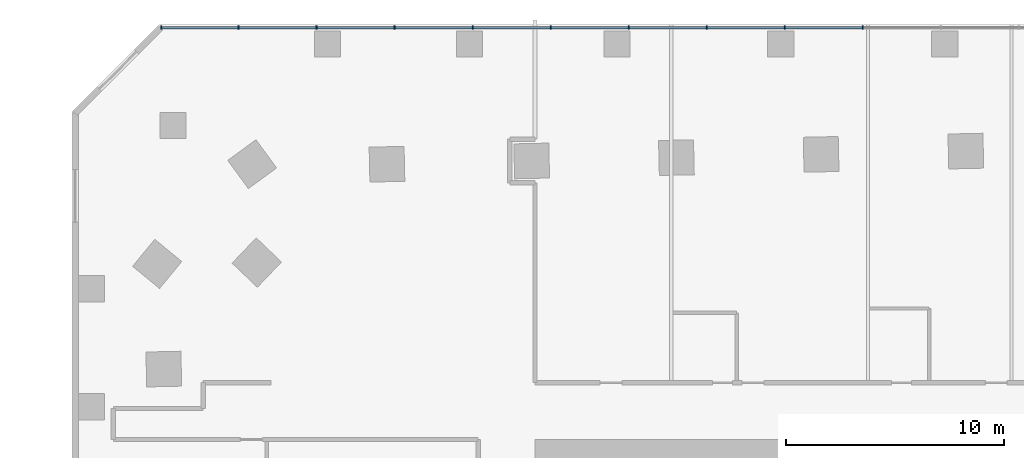
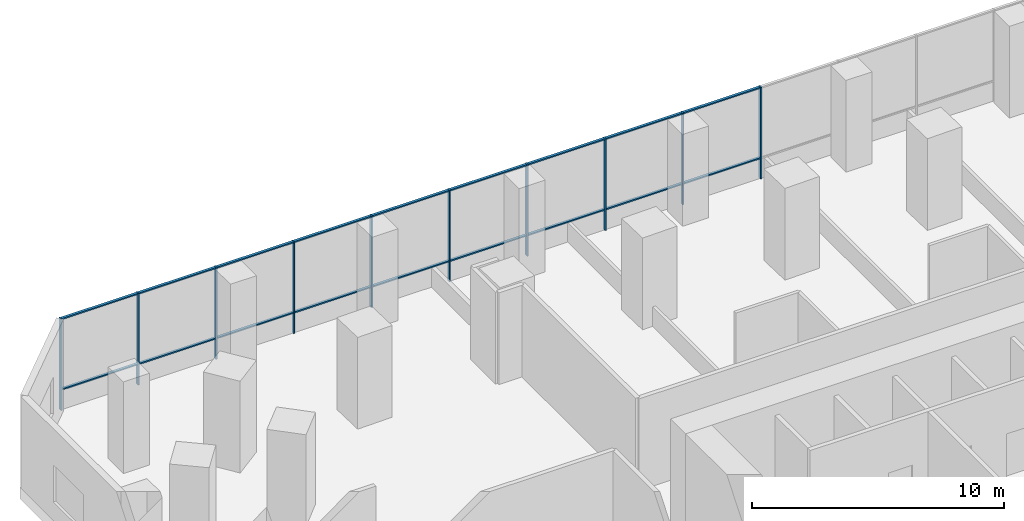
# One storey, part 2 of 12: 28 members, 1 element without a shape of its own.
"""IFC4 building model written with IfcOpenShell, lengths in metres."""

import ifcopenshell
import ifcopenshell.guid

model = None  # the IFC model being written
_history = None  # IfcOwnerHistory: only IFC2X3 demands one
_inside = {}  # id of a spatial element -> (the spatial element, [elements in it])
_under = {}  # id of a project, library or spatial element -> (it, [spatial elements below it])
_declared = {}  # id of a project -> (the project, [libraries it declares])
_typed = {}  # id of a type object -> (the type object, [elements of that type])
_made_of = {}  # id of a material, layer set ... -> (it, [elements and type objects made of it])


def new_model(schema):
    """Start an empty IFC model of exactly this schema.

    Asked for "IFC4X3", IfcOpenShell would pick the latest addendum, in which some entities
    have other attributes; the version numbers below select the first issue.
    IFC2X3 requires an IfcOwnerHistory on every rooted entity: one is made here for all.
    """
    global model, _history
    if schema == "IFC4X3":
        model = ifcopenshell.file(schema_version=(4, 3, 0, 0))
    else:
        model = ifcopenshell.file(schema=schema)
    _inside.clear()
    _under.clear()
    _declared.clear()
    _typed.clear()
    _made_of.clear()
    _history = None
    if model.schema == "IFC2X3":
        org = make("IfcOrganization", Name="unknown")
        user = make(
            "IfcPersonAndOrganization",
            ThePerson=make("IfcPerson", FamilyName="unknown"),
            TheOrganization=org,
        )
        app = make(
            "IfcApplication",
            ApplicationDeveloper=org,
            Version="unknown",
            ApplicationFullName="unknown",
            ApplicationIdentifier="unknown",
        )
        _history = make(
            "IfcOwnerHistory",
            OwningUser=user,
            OwningApplication=app,
            ChangeAction="ADDED",
            CreationDate=0,
        )
    return model


def make(cls, **values):
    """One entity of the class cls with the attributes given. An attribute that is None is left unset."""
    return model.create_entity(
        cls, **{name: value for name, value in values.items() if value is not None}
    )


def rooted(cls, **values):
    """An entity with a GlobalId (a new one), such as an element, a storey or a relation."""
    return make(cls, GlobalId=ifcopenshell.guid.new(), OwnerHistory=_history, **values)


def si_unit(unit_type, name, prefix=None):
    """IfcSIUnit, for example si_unit("LENGTHUNIT", "METRE", prefix="MILLI")."""
    return make("IfcSIUnit", UnitType=unit_type, Prefix=prefix, Name=name)


def assignment(units):
    """IfcUnitAssignment: the units of a project."""
    return None if units is None else make("IfcUnitAssignment", Units=units)


def point(xyz):
    """IfcCartesianPoint."""
    return None if xyz is None else make("IfcCartesianPoint", Coordinates=xyz)


def direction(xyz):
    """IfcDirection."""
    return None if xyz is None else make("IfcDirection", DirectionRatios=xyz)


def frame(location, z_axis=None, x_axis=None):
    """IfcAxis2Placement3D, a coordinate frame: its origin and axes. An axis left out is left unset."""
    return make(
        "IfcAxis2Placement3D",
        Location=point(location),
        Axis=direction(z_axis),
        RefDirection=direction(x_axis),
    )


def frame_2d(location, x_axis=None):
    """IfcAxis2Placement2D, a coordinate frame in the plane: its origin and x axis."""
    return make(
        "IfcAxis2Placement2D", Location=point(location), RefDirection=direction(x_axis)
    )


def origin():
    """The frame at (0, 0, 0) with its axes left unset."""
    return frame((0.0, 0.0, 0.0))


def origin_2d():
    """The frame at (0, 0) in the plane with its x axis left unset."""
    return frame_2d((0.0, 0.0))


def place(relative_to, where):
    """IfcLocalPlacement: puts the frame where relative to a parent placement (None: the world)."""
    return make(
        "IfcLocalPlacement", PlacementRelTo=relative_to, RelativePlacement=where
    )


def context(
    kind, dimensions, precision=None, world=None, true_north=None, identifier=None
):
    """IfcGeometricRepresentationContext, for example the 3D "Model" context."""
    return make(
        "IfcGeometricRepresentationContext",
        ContextIdentifier=identifier,
        ContextType=kind,
        CoordinateSpaceDimension=dimensions,
        Precision=precision,
        WorldCoordinateSystem=world,
        TrueNorth=true_north,
    )


def subcontext(parent, identifier, kind, view, scale=None):
    """IfcGeometricRepresentationSubContext, for example "Body" below "Model"."""
    return make(
        "IfcGeometricRepresentationSubContext",
        ContextIdentifier=identifier,
        ContextType=kind,
        ParentContext=parent,
        TargetScale=scale,
        TargetView=view,
    )


def project(units=None, contexts=None):
    """IfcProject with its units and contexts."""
    return rooted(
        "IfcProject",
        Name="project",
        RepresentationContexts=contexts,
        UnitsInContext=assignment(units),
    )


def spatial(cls, under=None, at=None, **own):
    """A site, building, storey or space (cls), placed at a placement, below another one or the project."""
    s = rooted(cls, ObjectPlacement=at, **own)
    if under is not None:
        _under.setdefault(under.id(), (under, []))[1].append(s)
    return s


def profile(cls, at=None, kind="AREA", **sizes):
    """A parametric profile (cls). Its sizes go by their IFC names, for example OverallWidth=200.0."""
    return make(cls, ProfileType=kind, Position=at, **sizes)


def rectangle(**sizes):
    """IfcRectangleProfileDef."""
    return profile("IfcRectangleProfileDef", **sizes)


def extrude(swept, where, along, depth):
    """IfcExtrudedAreaSolid: the profile swept, set in the frame where, extruded along a direction by depth."""
    return make(
        "IfcExtrudedAreaSolid",
        SweptArea=swept,
        Position=where,
        ExtrudedDirection=direction(along),
        Depth=depth,
    )


def shape(context_of_items, identifier, shape_type, items):
    """IfcShapeRepresentation: the items that make up one representation, for example the "Body"."""
    return make(
        "IfcShapeRepresentation",
        ContextOfItems=context_of_items,
        RepresentationIdentifier=identifier,
        RepresentationType=shape_type,
        Items=items,
    )


def material(Name=None, Category=None):
    """IfcMaterial."""
    return make("IfcMaterial", Name=Name, Category=Category)


def material_profile(
    of_material, cross_section, Name=None, Category=None, Priority=None
):
    """IfcMaterialProfile: a cross section and its material."""
    return make(
        "IfcMaterialProfile",
        Name=Name,
        Material=of_material,
        Profile=cross_section,
        Priority=Priority,
        Category=Category,
    )


def profile_set(profiles, Name=None, composite=None):
    """IfcMaterialProfileSet."""
    return make(
        "IfcMaterialProfileSet",
        Name=Name,
        MaterialProfiles=profiles,
        CompositeProfile=composite,
    )


def made_of(thing, what):
    """Note that an element or type object is made of a material, layer set ...; save() writes the relation."""
    if what is not None:
        _made_of.setdefault(what.id(), (what, []))[1].append(thing)
    return thing


def type_object(cls, material=None, **own):
    """A type object (cls), such as IfcWallType, which elements share."""
    return made_of(rooted(cls, **own), material)


def element(
    cls,
    number,
    at=None,
    inside=None,
    cuts=None,
    type_object=None,
    material=None,
    context=None,
    identifier="Body",
    shape_type=None,
    held_by="IfcProductDefinitionShape",
    body=None,
    shapes=None,
    **own,
):
    """One element of the class cls, such as IfcWall. Its Tag is "e" and its number.

    at: its placement. inside: the storey or other place that contains it. cuts: it is an
    opening in that element (IfcRelVoidsElement). A single representation is given by context,
    identifier, shape_type and body (its items); several are given by shapes. held_by: the class
    of the entity that holds the representations. save() writes the other relations.
    """
    e = rooted(cls, Tag="e%d" % number, ObjectPlacement=at, **own)
    if body is not None:
        shapes = [shape(context, identifier, shape_type, body)]
    if shapes is not None:
        e.Representation = make(held_by, Representations=shapes)
    if inside is not None:
        _inside.setdefault(inside.id(), (inside, []))[1].append(e)
    if cuts is not None:
        rooted(
            "IfcRelVoidsElement", RelatingBuildingElement=cuts, RelatedOpeningElement=e
        )
    if type_object is not None:
        _typed.setdefault(type_object.id(), (type_object, []))[1].append(e)
    return made_of(e, material)


def aggregate(whole, parts):
    """IfcRelAggregates: a whole, such as a stair, and the parts it consists of."""
    return rooted("IfcRelAggregates", RelatingObject=whole, RelatedObjects=parts)


def save(model, path):
    """Write the relations noted so far, then the file.

    IfcRelAggregates (storeys below a building ...), IfcRelContainedInSpatialStructure (elements
    in a storey), IfcRelDefinesByType, IfcRelAssociatesMaterial and IfcRelDeclares: one each for
    every whole, place, type object, material and project.
    """
    for whole, parts in _under.values():
        aggregate(whole, parts)
    for where, things in _inside.values():
        rooted(
            "IfcRelContainedInSpatialStructure",
            RelatedElements=things,
            RelatingStructure=where,
        )
    for kind, things in _typed.values():
        rooted("IfcRelDefinesByType", RelatedObjects=things, RelatingType=kind)
    for what, things in _made_of.values():
        rooted("IfcRelAssociatesMaterial", RelatedObjects=things, RelatingMaterial=what)
    for by, libraries in _declared.values():
        rooted("IfcRelDeclares", RelatingContext=by, RelatedDefinitions=libraries)
    model.write(path)


model = new_model("IFC4")

# Units and contexts
model_context = context("Model", 3, precision=1e-05, world=origin(), true_north=direction((0.0, 1.0)))
body_context = subcontext(model_context, "Body", "Model", "MODEL_VIEW")
ifc_project = project(units=[si_unit("LENGTHUNIT", "METRE"), si_unit("AREAUNIT", "SQUARE_METRE"), si_unit("VOLUMEUNIT", "CUBIC_METRE"), si_unit("PLANEANGLEUNIT", "RADIAN"), si_unit("MASSUNIT", "GRAM", prefix="KILO")], contexts=[model_context])

# Site, building, storey
site_placement = place(None, origin())
site = spatial("IfcSite", under=ifc_project, at=site_placement, CompositionType="ELEMENT")
building_placement = place(site_placement, origin())
building = spatial("IfcBuilding", under=site, at=building_placement, Name="Mangrove Gate Tower", CompositionType="ELEMENT")
storey_placement = place(building_placement, frame((0.0, 0.0, 11.0)))
storey = spatial("IfcBuildingStorey", under=building, at=storey_placement, Name="L02", CompositionType="ELEMENT", Elevation=11.0)

# Curtain wall, members
ifc_material_1 = material(Name="Aluminium and glass curtain wall", Category="aluminium")
curtain_wall_type = type_object("IfcCurtainWallType", Name="Podium amenity glazing wall", PredefinedType="NOTDEFINED", material=ifc_material_1)
curtain_wall_placement = place(storey_placement, origin())
curtain_wall = element("IfcCurtainWall", 1, at=curtain_wall_placement, inside=storey, type_object=curtain_wall_type, Name="Podium amenity glazing N12", PredefinedType="NOTDEFINED")
ifc_material_2 = material(Name="Aluminium alloy 6063-T6", Category="aluminium")
ifc_material_profile_1 = material_profile(ifc_material_2, rectangle(XDim=0.06005859375, YDim=0.159912109375, at=origin_2d()))
ifc_profile_set_1 = profile_set([ifc_material_profile_1], Name="Aluminium alloy 6063-T6")
member_type_1 = type_object("IfcMemberType", Name="Podium amenity glazing mullion 60x160", PredefinedType="MULLION", material=ifc_profile_set_1)
member_1_placement = place(storey_placement, frame((0.0, 30.85009765625, 0.0), z_axis=(0.0, 0.0, 1.0), x_axis=(-1.0, 0.0, 0.0)))
member_1 = element("IfcMember", 2, at=member_1_placement, type_object=member_type_1, Name="CWP mullion 10", PredefinedType="MULLION", context=body_context, shape_type="SweptSolid", body=[
    extrude(rectangle(XDim=0.06005859375, YDim=0.159912109375, at=origin_2d()), origin(), (0.0, 0.0, 1.0), 4.449951171875),
])
member_2_placement = place(storey_placement, frame((-3.57080078125, 30.85009765625, 0.0), z_axis=(0.0, 0.0, 1.0), x_axis=(-1.0, 0.0, 0.0)))
member_2 = element("IfcMember", 3, at=member_2_placement, type_object=member_type_1, Name="CWP mullion 11", PredefinedType="MULLION", context=body_context, shape_type="SweptSolid", body=[
    extrude(rectangle(XDim=0.06005859375, YDim=0.159912109375, at=origin_2d()), origin(), (0.0, 0.0, 1.0), 4.449951171875),
])
member_3_placement = place(storey_placement, frame((-7.141845703125, 30.85009765625, 0.0), z_axis=(0.0, 0.0, 1.0), x_axis=(-1.0, 0.0, 0.0)))
member_3 = element("IfcMember", 4, at=member_3_placement, type_object=member_type_1, Name="CWP mullion 12", PredefinedType="MULLION", context=body_context, shape_type="SweptSolid", body=[
    extrude(rectangle(XDim=0.06005859375, YDim=0.159912109375, at=origin_2d()), origin(), (0.0, 0.0, 1.0), 4.449951171875),
])
member_4_placement = place(storey_placement, frame((-10.712646484375, 30.85009765625, 0.0), z_axis=(0.0, 0.0, 1.0), x_axis=(-1.0, 0.0, 0.0)))
member_4 = element("IfcMember", 5, at=member_4_placement, type_object=member_type_1, Name="CWP mullion 13", PredefinedType="MULLION", context=body_context, shape_type="SweptSolid", body=[
    extrude(rectangle(XDim=0.06005859375, YDim=0.159912109375, at=origin_2d()), origin(), (0.0, 0.0, 1.0), 4.449951171875),
])
member_5_placement = place(storey_placement, frame((-14.283447265625, 30.85009765625, 0.0), z_axis=(0.0, 0.0, 1.0), x_axis=(-1.0, 0.0, 0.0)))
member_5 = element("IfcMember", 6, at=member_5_placement, type_object=member_type_1, Name="CWP mullion 14", PredefinedType="MULLION", context=body_context, shape_type="SweptSolid", body=[
    extrude(rectangle(XDim=0.06005859375, YDim=0.159912109375, at=origin_2d()), origin(), (0.0, 0.0, 1.0), 4.449951171875),
])
member_6_placement = place(storey_placement, frame((-17.8544921875, 30.85009765625, 0.0), z_axis=(0.0, 0.0, 1.0), x_axis=(-1.0, 0.0, 0.0)))
member_6 = element("IfcMember", 7, at=member_6_placement, type_object=member_type_1, Name="CWP mullion 15", PredefinedType="MULLION", context=body_context, shape_type="SweptSolid", body=[
    extrude(rectangle(XDim=0.06005859375, YDim=0.159912109375, at=origin_2d()), origin(), (0.0, 0.0, 1.0), 4.449951171875),
])
member_7_placement = place(storey_placement, frame((-21.42529296875, 30.85009765625, 0.0), z_axis=(0.0, 0.0, 1.0), x_axis=(-1.0, 0.0, 0.0)))
member_7 = element("IfcMember", 8, at=member_7_placement, type_object=member_type_1, Name="CWP mullion 16", PredefinedType="MULLION", context=body_context, shape_type="SweptSolid", body=[
    extrude(rectangle(XDim=0.06005859375, YDim=0.159912109375, at=origin_2d()), origin(), (0.0, 0.0, 1.0), 4.449951171875),
])
member_8_placement = place(storey_placement, frame((-24.99609375, 30.85009765625, 0.0), z_axis=(0.0, 0.0, 1.0), x_axis=(-1.0, 0.0, 0.0)))
member_8 = element("IfcMember", 9, at=member_8_placement, type_object=member_type_1, Name="CWP mullion 17", PredefinedType="MULLION", context=body_context, shape_type="SweptSolid", body=[
    extrude(rectangle(XDim=0.06005859375, YDim=0.159912109375, at=origin_2d()), origin(), (0.0, 0.0, 1.0), 4.449951171875),
])
member_9_placement = place(storey_placement, frame((-28.56689453125, 30.85009765625, 0.0), z_axis=(0.0, 0.0, 1.0), x_axis=(-1.0, 0.0, 0.0)))
member_9 = element("IfcMember", 10, at=member_9_placement, type_object=member_type_1, Name="CWP mullion 18", PredefinedType="MULLION", context=body_context, shape_type="SweptSolid", body=[
    extrude(rectangle(XDim=0.06005859375, YDim=0.159912109375, at=origin_2d()), origin(), (0.0, 0.0, 1.0), 4.449951171875),
])
member_10_placement = place(storey_placement, frame((-32.10791015625, 30.85009765625, 0.0), z_axis=(0.0, 0.0, 1.0), x_axis=(-1.0, 0.0, 0.0)))
member_10 = element("IfcMember", 11, at=member_10_placement, type_object=member_type_1, Name="CWP mullion 19", PredefinedType="MULLION", context=body_context, shape_type="SweptSolid", body=[
    extrude(rectangle(XDim=0.06005859375, YDim=0.159912109375, at=origin_2d()), origin(), (0.0, 0.0, 1.0), 4.449951171875),
])
ifc_material_3 = material(Name="Aluminium alloy 6063-T6", Category="aluminium")
ifc_material_profile_2 = material_profile(ifc_material_3, rectangle(XDim=0.06005859375, YDim=0.1201171875, at=origin_2d()))
ifc_profile_set_2 = profile_set([ifc_material_profile_2], Name="Aluminium alloy 6063-T6")
member_type_2 = type_object("IfcMemberType", Name="Podium amenity glazing transom 60x120", PredefinedType="USERDEFINED", material=ifc_profile_set_2)
member_11_placement = place(storey_placement, frame((-0.030029296875, 30.85009765625, 1.0), z_axis=(-1.0, 0.0, 0.0), x_axis=(0.0, 0.0, 1.0)))
member_11 = element("IfcMember", 12, at=member_11_placement, type_object=member_type_2, Name="CWP transom 10.2", ObjectType="TRANSOM", PredefinedType="USERDEFINED", context=body_context, shape_type="SweptSolid", body=[
    extrude(rectangle(XDim=0.06005859375, YDim=0.1201171875, at=origin_2d()), origin(), (0.0, 0.0, 1.0), 3.5107421875),
])
member_12_placement = place(storey_placement, frame((-0.030029296875, 30.85009765625, 4.419921875), z_axis=(-1.0, 0.0, 0.0), x_axis=(0.0, 0.0, 1.0)))
member_12 = element("IfcMember", 13, at=member_12_placement, type_object=member_type_2, Name="CWP transom 10.3", ObjectType="TRANSOM", PredefinedType="USERDEFINED", context=body_context, shape_type="SweptSolid", body=[
    extrude(rectangle(XDim=0.06005859375, YDim=0.1201171875, at=origin_2d()), origin(), (0.0, 0.0, 1.0), 3.5107421875),
])
member_13_placement = place(storey_placement, frame((-3.600830078125, 30.85009765625, 1.0), z_axis=(-1.0, 0.0, 0.0), x_axis=(0.0, 0.0, 1.0)))
member_13 = element("IfcMember", 14, at=member_13_placement, type_object=member_type_2, Name="CWP transom 11.2", ObjectType="TRANSOM", PredefinedType="USERDEFINED", context=body_context, shape_type="SweptSolid", body=[
    extrude(rectangle(XDim=0.06005859375, YDim=0.1201171875, at=origin_2d()), origin(), (0.0, 0.0, 1.0), 3.510986328125),
])
member_14_placement = place(storey_placement, frame((-3.600830078125, 30.85009765625, 4.419921875), z_axis=(-1.0, 0.0, 0.0), x_axis=(0.0, 0.0, 1.0)))
member_14 = element("IfcMember", 15, at=member_14_placement, type_object=member_type_2, Name="CWP transom 11.3", ObjectType="TRANSOM", PredefinedType="USERDEFINED", context=body_context, shape_type="SweptSolid", body=[
    extrude(rectangle(XDim=0.06005859375, YDim=0.1201171875, at=origin_2d()), origin(), (0.0, 0.0, 1.0), 3.510986328125),
])
member_15_placement = place(storey_placement, frame((-7.171630859375, 30.85009765625, 1.0), z_axis=(-1.0, 0.0, 0.0), x_axis=(0.0, 0.0, 1.0)))
member_15 = element("IfcMember", 16, at=member_15_placement, type_object=member_type_2, Name="CWP transom 12.2", ObjectType="TRANSOM", PredefinedType="USERDEFINED", context=body_context, shape_type="SweptSolid", body=[
    extrude(rectangle(XDim=0.06005859375, YDim=0.1201171875, at=origin_2d()), origin(), (0.0, 0.0, 1.0), 3.510986328125),
])
member_16_placement = place(storey_placement, frame((-7.171630859375, 30.85009765625, 4.419921875), z_axis=(-1.0, 0.0, 0.0), x_axis=(0.0, 0.0, 1.0)))
member_16 = element("IfcMember", 17, at=member_16_placement, type_object=member_type_2, Name="CWP transom 12.3", ObjectType="TRANSOM", PredefinedType="USERDEFINED", context=body_context, shape_type="SweptSolid", body=[
    extrude(rectangle(XDim=0.06005859375, YDim=0.1201171875, at=origin_2d()), origin(), (0.0, 0.0, 1.0), 3.510986328125),
])
member_17_placement = place(storey_placement, frame((-10.74267578125, 30.85009765625, 1.0), z_axis=(-1.0, 0.0, 0.0), x_axis=(0.0, 0.0, 1.0)))
member_17 = element("IfcMember", 18, at=member_17_placement, type_object=member_type_2, Name="CWP transom 13.2", ObjectType="TRANSOM", PredefinedType="USERDEFINED", context=body_context, shape_type="SweptSolid", body=[
    extrude(rectangle(XDim=0.06005859375, YDim=0.1201171875, at=origin_2d()), origin(), (0.0, 0.0, 1.0), 3.5107421875),
])
member_18_placement = place(storey_placement, frame((-10.74267578125, 30.85009765625, 4.419921875), z_axis=(-1.0, 0.0, 0.0), x_axis=(0.0, 0.0, 1.0)))
member_18 = element("IfcMember", 19, at=member_18_placement, type_object=member_type_2, Name="CWP transom 13.3", ObjectType="TRANSOM", PredefinedType="USERDEFINED", context=body_context, shape_type="SweptSolid", body=[
    extrude(rectangle(XDim=0.06005859375, YDim=0.1201171875, at=origin_2d()), origin(), (0.0, 0.0, 1.0), 3.5107421875),
])
member_19_placement = place(storey_placement, frame((-14.3134765625, 30.85009765625, 1.0), z_axis=(-1.0, 0.0, 0.0), x_axis=(0.0, 0.0, 1.0)))
member_19 = element("IfcMember", 20, at=member_19_placement, type_object=member_type_2, Name="CWP transom 14.2", ObjectType="TRANSOM", PredefinedType="USERDEFINED", context=body_context, shape_type="SweptSolid", body=[
    extrude(rectangle(XDim=0.06005859375, YDim=0.1201171875, at=origin_2d()), origin(), (0.0, 0.0, 1.0), 3.510986328125),
])
member_20_placement = place(storey_placement, frame((-14.3134765625, 30.85009765625, 4.419921875), z_axis=(-1.0, 0.0, 0.0), x_axis=(0.0, 0.0, 1.0)))
member_20 = element("IfcMember", 21, at=member_20_placement, type_object=member_type_2, Name="CWP transom 14.3", ObjectType="TRANSOM", PredefinedType="USERDEFINED", context=body_context, shape_type="SweptSolid", body=[
    extrude(rectangle(XDim=0.06005859375, YDim=0.1201171875, at=origin_2d()), origin(), (0.0, 0.0, 1.0), 3.510986328125),
])
member_21_placement = place(storey_placement, frame((-17.88427734375, 30.85009765625, 1.0), z_axis=(-1.0, 0.0, 0.0), x_axis=(0.0, 0.0, 1.0)))
member_21 = element("IfcMember", 22, at=member_21_placement, type_object=member_type_2, Name="CWP transom 15.2", ObjectType="TRANSOM", PredefinedType="USERDEFINED", context=body_context, shape_type="SweptSolid", body=[
    extrude(rectangle(XDim=0.06005859375, YDim=0.1201171875, at=origin_2d()), origin(), (0.0, 0.0, 1.0), 3.510986328125),
])
member_22_placement = place(storey_placement, frame((-17.88427734375, 30.85009765625, 4.419921875), z_axis=(-1.0, 0.0, 0.0), x_axis=(0.0, 0.0, 1.0)))
member_22 = element("IfcMember", 23, at=member_22_placement, type_object=member_type_2, Name="CWP transom 15.3", ObjectType="TRANSOM", PredefinedType="USERDEFINED", context=body_context, shape_type="SweptSolid", body=[
    extrude(rectangle(XDim=0.06005859375, YDim=0.1201171875, at=origin_2d()), origin(), (0.0, 0.0, 1.0), 3.510986328125),
])
member_23_placement = place(storey_placement, frame((-21.455322265625, 30.85009765625, 1.0), z_axis=(-1.0, 0.0, 0.0), x_axis=(0.0, 0.0, 1.0)))
member_23 = element("IfcMember", 24, at=member_23_placement, type_object=member_type_2, Name="CWP transom 16.2", ObjectType="TRANSOM", PredefinedType="USERDEFINED", context=body_context, shape_type="SweptSolid", body=[
    extrude(rectangle(XDim=0.06005859375, YDim=0.1201171875, at=origin_2d()), origin(), (0.0, 0.0, 1.0), 3.5107421875),
])
member_24_placement = place(storey_placement, frame((-21.455322265625, 30.85009765625, 4.419921875), z_axis=(-1.0, 0.0, 0.0), x_axis=(0.0, 0.0, 1.0)))
member_24 = element("IfcMember", 25, at=member_24_placement, type_object=member_type_2, Name="CWP transom 16.3", ObjectType="TRANSOM", PredefinedType="USERDEFINED", context=body_context, shape_type="SweptSolid", body=[
    extrude(rectangle(XDim=0.06005859375, YDim=0.1201171875, at=origin_2d()), origin(), (0.0, 0.0, 1.0), 3.5107421875),
])
member_25_placement = place(storey_placement, frame((-25.026123046875, 30.85009765625, 1.0), z_axis=(-1.0, 0.0, 0.0), x_axis=(0.0, 0.0, 1.0)))
member_25 = element("IfcMember", 26, at=member_25_placement, type_object=member_type_2, Name="CWP transom 17.2", ObjectType="TRANSOM", PredefinedType="USERDEFINED", context=body_context, shape_type="SweptSolid", body=[
    extrude(rectangle(XDim=0.06005859375, YDim=0.1201171875, at=origin_2d()), origin(), (0.0, 0.0, 1.0), 3.510986328125),
])
member_26_placement = place(storey_placement, frame((-25.026123046875, 30.85009765625, 4.419921875), z_axis=(-1.0, 0.0, 0.0), x_axis=(0.0, 0.0, 1.0)))
member_26 = element("IfcMember", 27, at=member_26_placement, type_object=member_type_2, Name="CWP transom 17.3", ObjectType="TRANSOM", PredefinedType="USERDEFINED", context=body_context, shape_type="SweptSolid", body=[
    extrude(rectangle(XDim=0.06005859375, YDim=0.1201171875, at=origin_2d()), origin(), (0.0, 0.0, 1.0), 3.510986328125),
])
member_27_placement = place(storey_placement, frame((-28.596923828125, 30.85009765625, 1.0), z_axis=(-1.0, 0.0, 0.0), x_axis=(0.0, 0.0, 1.0)))
member_27 = element("IfcMember", 28, at=member_27_placement, type_object=member_type_2, Name="CWP transom 18.2", ObjectType="TRANSOM", PredefinedType="USERDEFINED", context=body_context, shape_type="SweptSolid", body=[
    extrude(rectangle(XDim=0.06005859375, YDim=0.1201171875, at=origin_2d()), origin(), (0.0, 0.0, 1.0), 3.48095703125),
])
member_28_placement = place(storey_placement, frame((-28.596923828125, 30.85009765625, 4.419921875), z_axis=(-1.0, 0.0, 0.0), x_axis=(0.0, 0.0, 1.0)))
member_28 = element("IfcMember", 29, at=member_28_placement, type_object=member_type_2, Name="CWP transom 18.3", ObjectType="TRANSOM", PredefinedType="USERDEFINED", context=body_context, shape_type="SweptSolid", body=[
    extrude(rectangle(XDim=0.06005859375, YDim=0.1201171875, at=origin_2d()), origin(), (0.0, 0.0, 1.0), 3.48095703125),
])
aggregate(curtain_wall, [member_1, member_2, member_3, member_4, member_5, member_6, member_7, member_8, member_9, member_10, member_11, member_12, member_13, member_14, member_15, member_16, member_17, member_18, member_19, member_20, member_21, member_22, member_23, member_24, member_25, member_26, member_27, member_28])

save(model, "model.ifc")
